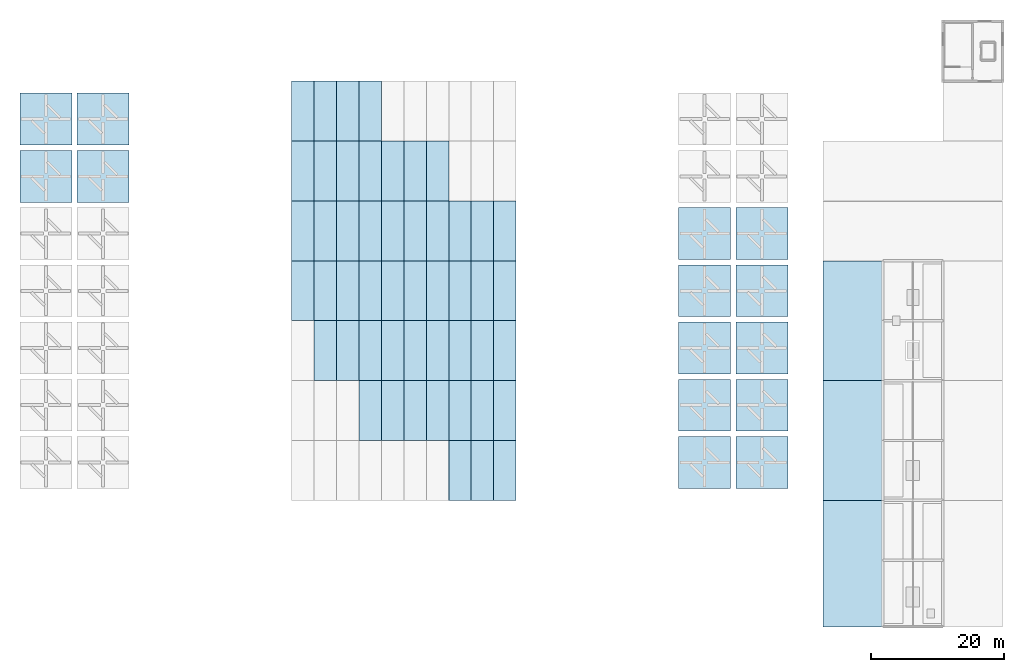
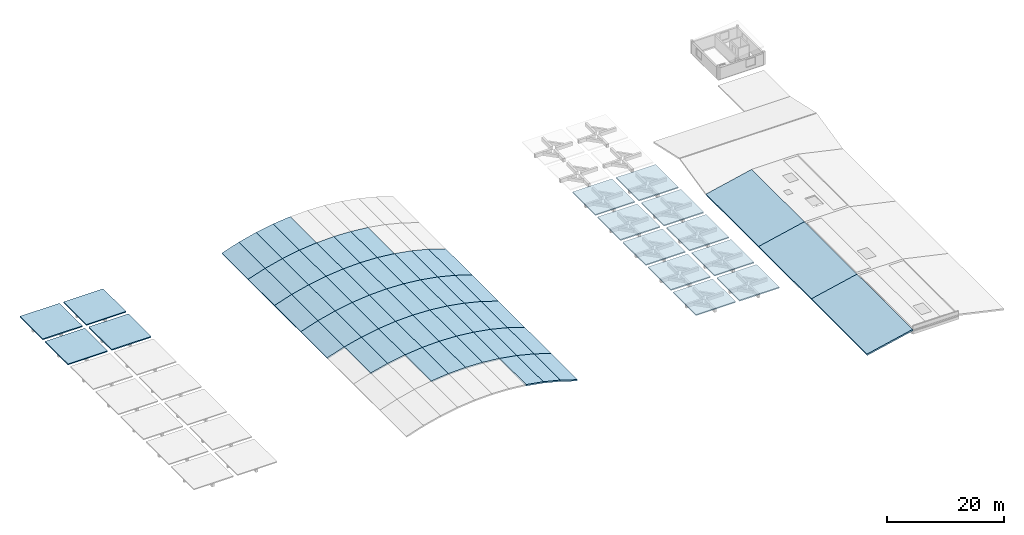
# One storey, part 4 of 7: 67 slabs.
"""IFC4 building model written with IfcOpenShell, lengths in metres."""

from ifc_helpers import new_model, si_unit, direction, frame, origin, place, context, subcontext, project, spatial, polyline, outline, extrude, material, layer, layer_set, type_object, element, save


model = new_model("IFC4")

# Units and contexts
model_context = context("Model", 3, precision=1e-05, world=origin(), true_north=direction((0.0, 1.0)))
body_context = subcontext(model_context, "Body", "Model", "MODEL_VIEW")
ifc_project = project(units=[si_unit("LENGTHUNIT", "METRE"), si_unit("AREAUNIT", "SQUARE_METRE"), si_unit("VOLUMEUNIT", "CUBIC_METRE"), si_unit("PLANEANGLEUNIT", "RADIAN"), si_unit("MASSUNIT", "GRAM", prefix="KILO")], contexts=[model_context])

# Site, building, storey
site_placement = place(None, origin())
site = spatial("IfcSite", under=ifc_project, at=site_placement, CompositionType="ELEMENT")
building_placement = place(site_placement, origin())
building = spatial("IfcBuilding", under=site, at=building_placement, Name="Ornek Quay Market", CompositionType="ELEMENT")
storey_placement = place(building_placement, frame((0.0, 0.0, 16.64990234375)))
storey = spatial("IfcBuildingStorey", under=building, at=storey_placement, Name="ROOF", CompositionType="ELEMENT", Elevation=16.64990234375)

# Slabs
ifc_material_1 = material(Name="Concrete C35/45", Category="concrete")
ifc_layer_1 = layer(ifc_material_1, 0.320068359375, Name="Concrete C35/45", Category="concrete")
ifc_layer_set_1 = layer_set([ifc_layer_1], Name="Concrete C35/45")
slab_type_1 = type_object("IfcSlabType", Name="SL-RF-CS-320", PredefinedType="ROOF", material=ifc_layer_set_1)
slab_1_placement = place(storey_placement, frame((153.0, 10.0, -1.25), z_axis=(-0.216930457819, 0.0, 0.976187060184), x_axis=(0.976187060184, 0.0, 0.216930457819)))
element("IfcSlab", 1, at=slab_1_placement, inside=storey, type_object=slab_type_1, Name="Sloped roof slab S-072 (ROOF)", PredefinedType="ROOF", context=body_context, shape_type="SweptSolid", body=[
    extrude(outline(polyline([(0.0, 0.0), (9.219544457292889, 0.0), (9.219544457292889, 19.0), (0.0, 19.0), (0.0, 0.0)])), origin(), (0.0, 0.0, -1.0), 0.320068359375),
])
for number, where, z_axis, x_axis, name in (
    (2, (153.0, 29.0, -1.25), (-0.216930457819, 0.0, 0.976187060184), (0.976187060184, 0.0, 0.216930457819), "Sloped roof slab S-075 (ROOF)"),
    (3, (153.0, 47.0, -1.25), (-0.216930457819, 0.0, 0.976187060184), (0.976187060184, 0.0, 0.216930457819), "Sloped roof slab S-078 (ROOF)"),
):
    element("IfcSlab", number, at=place(storey_placement, frame(where, z_axis=z_axis, x_axis=x_axis)), inside=storey, type_object=slab_type_1, Name=name, PredefinedType="ROOF", context=body_context, shape_type="SweptSolid", body=[
        extrude(outline(polyline([(0.0, 0.0), (9.219544457292889, 0.0), (9.219544457292889, 18.000000000000004), (0.0, 18.000000000000004), (0.0, 0.0)])), origin(), (0.0, 0.0, -1.0), 0.320068359375),
    ])
ifc_material_2 = material(Name="Concrete C40/50", Category="concrete")
ifc_layer_2 = layer(ifc_material_2, 0.219970703125, Name="Concrete C40/50", Category="concrete")
ifc_layer_set_2 = layer_set([ifc_layer_2], Name="Concrete C40/50")
slab_type_2 = type_object("IfcSlabType", Name="SL-UMB-CANOPY-220", PredefinedType="ROOF", material=ifc_layer_set_2)
slab_2_placement = place(storey_placement, frame((0.0, 0.0, 0.030029296875)))
element("IfcSlab", 4, at=slab_2_placement, inside=storey, type_object=slab_type_2, Name="Concrete umbrella canopy UMB-W06", PredefinedType="ROOF", context=body_context, shape_type="SweptSolid", body=[
    extrude(outline(polyline([(32.300048828125, 73.800048828125), (40.10009765625, 73.800048828125), (40.10009765625, 81.60009765625), (32.300048828125, 81.60009765625), (32.300048828125, 73.800048828125)])), origin(), (0.0, 0.0, 1.0), 0.219970703125),
])
slab_3_placement = place(storey_placement, frame((0.0, 0.0, 0.030029296875)))
element("IfcSlab", 5, at=slab_3_placement, inside=storey, type_object=slab_type_2, Name="Concrete umbrella canopy UMB-W07", PredefinedType="ROOF", context=body_context, shape_type="SweptSolid", body=[
    extrude(outline(polyline([(32.300048828125, 82.39990234375), (40.10009765625, 82.39990234375), (40.10009765625, 90.199951171875), (32.300048828125, 90.199951171875), (32.300048828125, 82.39990234375)])), origin(), (0.0, 0.0, 1.0), 0.219970703125),
])
slab_4_placement = place(storey_placement, frame((0.0, 0.0, 0.030029296875)))
element("IfcSlab", 6, at=slab_4_placement, inside=storey, type_object=slab_type_2, Name="Concrete umbrella canopy UMB-W13", PredefinedType="ROOF", context=body_context, shape_type="SweptSolid", body=[
    extrude(outline(polyline([(40.89990234375, 73.800048828125), (48.699951171875, 73.800048828125), (48.699951171875, 81.60009765625), (40.89990234375, 81.60009765625), (40.89990234375, 73.800048828125)])), origin(), (0.0, 0.0, 1.0), 0.219970703125),
])
slab_5_placement = place(storey_placement, frame((0.0, 0.0, 0.030029296875)))
element("IfcSlab", 7, at=slab_5_placement, inside=storey, type_object=slab_type_2, Name="Concrete umbrella canopy UMB-W14", PredefinedType="ROOF", context=body_context, shape_type="SweptSolid", body=[
    extrude(outline(polyline([(40.89990234375, 82.39990234375), (48.699951171875, 82.39990234375), (48.699951171875, 90.199951171875), (40.89990234375, 90.199951171875), (40.89990234375, 82.39990234375)])), origin(), (0.0, 0.0, 1.0), 0.219970703125),
])
slab_6_placement = place(storey_placement, frame((0.0, 0.0, 1.72998046875)))
element("IfcSlab", 8, at=slab_6_placement, inside=storey, type_object=slab_type_2, Name="Concrete umbrella canopy UMB-E01", PredefinedType="ROOF", context=body_context, shape_type="SweptSolid", body=[
    extrude(outline(polyline([(131.300048828125, 30.800048828125), (139.10009765625, 30.800048828125), (139.10009765625, 38.60009765625), (131.300048828125, 38.60009765625), (131.300048828125, 30.800048828125)])), origin(), (0.0, 0.0, 1.0), 0.22021484375),
])
slab_7_placement = place(storey_placement, frame((0.0, 0.0, 1.72998046875)))
element("IfcSlab", 9, at=slab_7_placement, inside=storey, type_object=slab_type_2, Name="Concrete umbrella canopy UMB-E02", PredefinedType="ROOF", context=body_context, shape_type="SweptSolid", body=[
    extrude(outline(polyline([(131.300048828125, 39.39990234375), (139.10009765625, 39.39990234375), (139.10009765625, 47.199951171875), (131.300048828125, 47.199951171875), (131.300048828125, 39.39990234375)])), origin(), (0.0, 0.0, 1.0), 0.22021484375),
])
slab_8_placement = place(storey_placement, frame((0.0, 0.0, 1.72998046875)))
element("IfcSlab", 10, at=slab_8_placement, inside=storey, type_object=slab_type_2, Name="Concrete umbrella canopy UMB-E03", PredefinedType="ROOF", context=body_context, shape_type="SweptSolid", body=[
    extrude(outline(polyline([(131.300048828125, 48.0), (139.10009765625, 48.0), (139.10009765625, 55.800048828125), (131.300048828125, 55.800048828125), (131.300048828125, 48.0)])), origin(), (0.0, 0.0, 1.0), 0.22021484375),
])
slab_9_placement = place(storey_placement, frame((0.0, 0.0, 1.72998046875)))
element("IfcSlab", 11, at=slab_9_placement, inside=storey, type_object=slab_type_2, Name="Concrete umbrella canopy UMB-E04", PredefinedType="ROOF", context=body_context, shape_type="SweptSolid", body=[
    extrude(outline(polyline([(131.300048828125, 56.60009765625), (139.10009765625, 56.60009765625), (139.10009765625, 64.39990234375), (131.300048828125, 64.39990234375), (131.300048828125, 56.60009765625)])), origin(), (0.0, 0.0, 1.0), 0.22021484375),
])
slab_10_placement = place(storey_placement, frame((0.0, 0.0, 1.72998046875)))
element("IfcSlab", 12, at=slab_10_placement, inside=storey, type_object=slab_type_2, Name="Concrete umbrella canopy UMB-E05", PredefinedType="ROOF", context=body_context, shape_type="SweptSolid", body=[
    extrude(outline(polyline([(131.300048828125, 65.199951171875), (139.10009765625, 65.199951171875), (139.10009765625, 73.0), (131.300048828125, 73.0), (131.300048828125, 65.199951171875)])), origin(), (0.0, 0.0, 1.0), 0.22021484375),
])
slab_11_placement = place(storey_placement, frame((0.0, 0.0, 1.72998046875)))
element("IfcSlab", 13, at=slab_11_placement, inside=storey, type_object=slab_type_2, Name="Concrete umbrella canopy UMB-E08", PredefinedType="ROOF", context=body_context, shape_type="SweptSolid", body=[
    extrude(outline(polyline([(139.89990234375, 30.800048828125), (147.699951171875, 30.800048828125), (147.699951171875, 38.60009765625), (139.89990234375, 38.60009765625), (139.89990234375, 30.800048828125)])), origin(), (0.0, 0.0, 1.0), 0.22021484375),
])
slab_12_placement = place(storey_placement, frame((0.0, 0.0, 1.72998046875)))
element("IfcSlab", 14, at=slab_12_placement, inside=storey, type_object=slab_type_2, Name="Concrete umbrella canopy UMB-E09", PredefinedType="ROOF", context=body_context, shape_type="SweptSolid", body=[
    extrude(outline(polyline([(139.89990234375, 39.39990234375), (147.699951171875, 39.39990234375), (147.699951171875, 47.199951171875), (139.89990234375, 47.199951171875), (139.89990234375, 39.39990234375)])), origin(), (0.0, 0.0, 1.0), 0.22021484375),
])
slab_13_placement = place(storey_placement, frame((0.0, 0.0, 1.72998046875)))
element("IfcSlab", 15, at=slab_13_placement, inside=storey, type_object=slab_type_2, Name="Concrete umbrella canopy UMB-E10", PredefinedType="ROOF", context=body_context, shape_type="SweptSolid", body=[
    extrude(outline(polyline([(139.89990234375, 48.0), (147.699951171875, 48.0), (147.699951171875, 55.800048828125), (139.89990234375, 55.800048828125), (139.89990234375, 48.0)])), origin(), (0.0, 0.0, 1.0), 0.22021484375),
])
slab_14_placement = place(storey_placement, frame((0.0, 0.0, 1.72998046875)))
element("IfcSlab", 16, at=slab_14_placement, inside=storey, type_object=slab_type_2, Name="Concrete umbrella canopy UMB-E11", PredefinedType="ROOF", context=body_context, shape_type="SweptSolid", body=[
    extrude(outline(polyline([(139.89990234375, 56.60009765625), (147.699951171875, 56.60009765625), (147.699951171875, 64.39990234375), (139.89990234375, 64.39990234375), (139.89990234375, 56.60009765625)])), origin(), (0.0, 0.0, 1.0), 0.22021484375),
])
slab_15_placement = place(storey_placement, frame((0.0, 0.0, 1.72998046875)))
element("IfcSlab", 17, at=slab_15_placement, inside=storey, type_object=slab_type_2, Name="Concrete umbrella canopy UMB-E12", PredefinedType="ROOF", context=body_context, shape_type="SweptSolid", body=[
    extrude(outline(polyline([(139.89990234375, 65.199951171875), (147.699951171875, 65.199951171875), (147.699951171875, 73.0), (139.89990234375, 73.0), (139.89990234375, 65.199951171875)])), origin(), (0.0, 0.0, 1.0), 0.22021484375),
])
ifc_material_3 = material(Name="Concrete C45/55", Category="concrete")
ifc_layer_3 = layer(ifc_material_3, 0.2900390625, Name="Concrete C45/55", Category="concrete")
ifc_layer_set_3 = layer_set([ifc_layer_3], Name="Concrete C45/55")
slab_type_3 = type_object("IfcSlabType", Name="SL-VLT-SHELL-290", PredefinedType="ROOF", material=ifc_layer_set_3)
slab_16_placement = place(storey_placement, frame((96.75, 29.0, 0.573486328125), z_axis=(0.172159077901, 0.0, 0.985069160971), x_axis=(0.985069160971, 0.0, -0.172159077901)))
element("IfcSlab", 18, at=slab_16_placement, inside=storey, type_object=slab_type_3, Name="Sloped roof slab S-091 (ROOF)", PredefinedType="ROOF", context=body_context, shape_type="SweptSolid", body=[
    extrude(outline(polyline([(0.0, 0.0), (3.4261553743830806, 0.0), (3.4261553743830806, 9.0), (0.0, 9.0), (0.0, 0.0)])), origin(), (0.0, 0.0, -1.0), 0.2900390625),
])
slab_17_placement = place(storey_placement, frame((100.125, 29.0, -0.016357421875), z_axis=(0.240949455139, 0.0, 0.970537665456), x_axis=(0.970537665456, 0.0, -0.240949455139)))
element("IfcSlab", 19, at=slab_17_placement, inside=storey, type_object=slab_type_3, Name="Sloped roof slab S-092 (ROOF)", PredefinedType="ROOF", context=body_context, shape_type="SweptSolid", body=[
    extrude(outline(polyline([(0.0, 0.0), (3.4774539104728466, 0.0), (3.4774539104728466, 9.000000000000002), (0.0, 9.000000000000002), (0.0, 0.0)])), origin(), (0.0, 0.0, -1.0), 0.2900390625),
])
slab_18_placement = place(storey_placement, frame((103.5, 29.0, -0.854248046875), z_axis=(0.309844903611, 0.0, 0.950787113767), x_axis=(0.950787113767, 0.0, -0.309844903611)))
element("IfcSlab", 20, at=slab_18_placement, inside=storey, type_object=slab_type_3, Name="Sloped roof slab S-093 (ROOF)", PredefinedType="ROOF", context=body_context, shape_type="SweptSolid", body=[
    extrude(outline(polyline([(0.0, 0.0), (3.5496905155002842, 0.0), (3.5496905155002842, 9.000000000000002), (0.0, 9.000000000000002), (0.0, 0.0)])), origin(), (0.0, 0.0, -1.0), 0.2900390625),
])
slab_19_placement = place(storey_placement, frame((83.25, 38.0, 0.573486328125), z_axis=(-0.103250182601, 0.0, 0.994655417616), x_axis=(0.994655417616, 0.0, 0.103250182601)))
element("IfcSlab", 21, at=slab_19_placement, inside=storey, type_object=slab_type_3, Name="Sloped roof slab S-103 (ROOF)", PredefinedType="ROOF", context=body_context, shape_type="SweptSolid", body=[
    extrude(outline(polyline([(0.0, 0.0), (3.3931348889541075, 0.0), (3.3931348889541075, 9.0), (0.0, 9.0), (0.0, 0.0)])), origin(), (0.0, 0.0, -1.0), 0.2900390625),
])
for number, where, z_axis, x_axis, name in (
    (22, (86.625, 38.0, 0.923828125), (-0.034412476309, 0.0, 0.999407715337), (0.999407715337, 0.0, 0.034412476309), "Sloped roof slab S-104 (ROOF)"),
    (23, (90.0, 38.0, 1.0400390625), (0.034412476309, 0.0, 0.999407715337), (0.999407715337, 0.0, -0.034412476309), "Sloped roof slab S-105 (ROOF)"),
):
    element("IfcSlab", number, at=place(storey_placement, frame(where, z_axis=z_axis, x_axis=x_axis)), inside=storey, type_object=slab_type_3, Name=name, PredefinedType="ROOF", context=body_context, shape_type="SweptSolid", body=[
        extrude(outline(polyline([(0.0, 0.0), (3.377000145394523, 0.0), (3.377000145394523, 9.0), (0.0, 9.0), (0.0, 0.0)])), origin(), (0.0, 0.0, -1.0), 0.2900390625),
    ])
slab_20_placement = place(storey_placement, frame((93.375, 38.0, 0.923828125), z_axis=(0.103250182601, 0.0, 0.994655417616), x_axis=(0.994655417616, 0.0, -0.103250182601)))
element("IfcSlab", 24, at=slab_20_placement, inside=storey, type_object=slab_type_3, Name="Sloped roof slab S-106 (ROOF)", PredefinedType="ROOF", context=body_context, shape_type="SweptSolid", body=[
    extrude(outline(polyline([(0.0, 0.0), (3.3931348889541075, 0.0), (3.3931348889541075, 9.0), (0.0, 9.0), (0.0, 0.0)])), origin(), (0.0, 0.0, -1.0), 0.2900390625),
])
slab_21_placement = place(storey_placement, frame((96.75, 38.0, 0.573486328125), z_axis=(0.172159077901, 0.0, 0.985069160971), x_axis=(0.985069160971, 0.0, -0.172159077901)))
element("IfcSlab", 25, at=slab_21_placement, inside=storey, type_object=slab_type_3, Name="Sloped roof slab S-107 (ROOF)", PredefinedType="ROOF", context=body_context, shape_type="SweptSolid", body=[
    extrude(outline(polyline([(0.0, 0.0), (3.4261553743830806, 0.0), (3.4261553743830806, 9.0), (0.0, 9.0), (0.0, 0.0)])), origin(), (0.0, 0.0, -1.0), 0.2900390625),
])
slab_22_placement = place(storey_placement, frame((100.125, 38.0, -0.016357421875), z_axis=(0.240949455139, 0.0, 0.970537665456), x_axis=(0.970537665456, 0.0, -0.240949455139)))
element("IfcSlab", 26, at=slab_22_placement, inside=storey, type_object=slab_type_3, Name="Sloped roof slab S-108 (ROOF)", PredefinedType="ROOF", context=body_context, shape_type="SweptSolid", body=[
    extrude(outline(polyline([(0.0, 0.0), (3.4774539104728466, 0.0), (3.4774539104728466, 9.000000000000002), (0.0, 9.000000000000002), (0.0, 0.0)])), origin(), (0.0, 0.0, -1.0), 0.2900390625),
])
slab_23_placement = place(storey_placement, frame((103.5, 38.0, -0.854248046875), z_axis=(0.309844903611, 0.0, 0.950787113767), x_axis=(0.950787113767, 0.0, -0.309844903611)))
element("IfcSlab", 27, at=slab_23_placement, inside=storey, type_object=slab_type_3, Name="Sloped roof slab S-109 (ROOF)", PredefinedType="ROOF", context=body_context, shape_type="SweptSolid", body=[
    extrude(outline(polyline([(0.0, 0.0), (3.5496905155002842, 0.0), (3.5496905155002842, 9.000000000000002), (0.0, 9.000000000000002), (0.0, 0.0)])), origin(), (0.0, 0.0, -1.0), 0.2900390625),
])
slab_24_placement = place(storey_placement, frame((76.5, 47.0, -0.854248046875), z_axis=(-0.240949455139, 0.0, 0.970537665456), x_axis=(0.970537665456, 0.0, 0.240949455139)))
element("IfcSlab", 28, at=slab_24_placement, inside=storey, type_object=slab_type_3, Name="Sloped roof slab S-117 (ROOF)", PredefinedType="ROOF", context=body_context, shape_type="SweptSolid", body=[
    extrude(outline(polyline([(0.0, 0.0), (3.4774539104728466, 0.0), (3.4774539104728466, 9.000000000000002), (0.0, 9.000000000000002), (0.0, 0.0)])), origin(), (0.0, 0.0, -1.0), 0.2900390625),
])
slab_25_placement = place(storey_placement, frame((79.875, 47.0, -0.016357421875), z_axis=(-0.172159077901, 0.0, 0.985069160971), x_axis=(0.985069160971, 0.0, 0.172159077901)))
element("IfcSlab", 29, at=slab_25_placement, inside=storey, type_object=slab_type_3, Name="Sloped roof slab S-118 (ROOF)", PredefinedType="ROOF", context=body_context, shape_type="SweptSolid", body=[
    extrude(outline(polyline([(0.0, 0.0), (3.4261553743830806, 0.0), (3.4261553743830806, 9.0), (0.0, 9.0), (0.0, 0.0)])), origin(), (0.0, 0.0, -1.0), 0.2900390625),
])
slab_26_placement = place(storey_placement, frame((83.25, 47.0, 0.573486328125), z_axis=(-0.103250182601, 0.0, 0.994655417616), x_axis=(0.994655417616, 0.0, 0.103250182601)))
element("IfcSlab", 30, at=slab_26_placement, inside=storey, type_object=slab_type_3, Name="Sloped roof slab S-119 (ROOF)", PredefinedType="ROOF", context=body_context, shape_type="SweptSolid", body=[
    extrude(outline(polyline([(0.0, 0.0), (3.3931348889541075, 0.0), (3.3931348889541075, 9.0), (0.0, 9.0), (0.0, 0.0)])), origin(), (0.0, 0.0, -1.0), 0.2900390625),
])
for number, where, z_axis, x_axis, name in (
    (31, (86.625, 47.0, 0.923828125), (-0.034412476309, 0.0, 0.999407715337), (0.999407715337, 0.0, 0.034412476309), "Sloped roof slab S-120 (ROOF)"),
    (32, (90.0, 47.0, 1.0400390625), (0.034412476309, 0.0, 0.999407715337), (0.999407715337, 0.0, -0.034412476309), "Sloped roof slab S-121 (ROOF)"),
):
    element("IfcSlab", number, at=place(storey_placement, frame(where, z_axis=z_axis, x_axis=x_axis)), inside=storey, type_object=slab_type_3, Name=name, PredefinedType="ROOF", context=body_context, shape_type="SweptSolid", body=[
        extrude(outline(polyline([(0.0, 0.0), (3.377000145394523, 0.0), (3.377000145394523, 9.0), (0.0, 9.0), (0.0, 0.0)])), origin(), (0.0, 0.0, -1.0), 0.2900390625),
    ])
slab_27_placement = place(storey_placement, frame((93.375, 47.0, 0.923828125), z_axis=(0.103250182601, 0.0, 0.994655417616), x_axis=(0.994655417616, 0.0, -0.103250182601)))
element("IfcSlab", 33, at=slab_27_placement, inside=storey, type_object=slab_type_3, Name="Sloped roof slab S-122 (ROOF)", PredefinedType="ROOF", context=body_context, shape_type="SweptSolid", body=[
    extrude(outline(polyline([(0.0, 0.0), (3.3931348889541075, 0.0), (3.3931348889541075, 9.0), (0.0, 9.0), (0.0, 0.0)])), origin(), (0.0, 0.0, -1.0), 0.2900390625),
])
slab_28_placement = place(storey_placement, frame((96.75, 47.0, 0.573486328125), z_axis=(0.172159077901, 0.0, 0.985069160971), x_axis=(0.985069160971, 0.0, -0.172159077901)))
element("IfcSlab", 34, at=slab_28_placement, inside=storey, type_object=slab_type_3, Name="Sloped roof slab S-123 (ROOF)", PredefinedType="ROOF", context=body_context, shape_type="SweptSolid", body=[
    extrude(outline(polyline([(0.0, 0.0), (3.4261553743830806, 0.0), (3.4261553743830806, 9.0), (0.0, 9.0), (0.0, 0.0)])), origin(), (0.0, 0.0, -1.0), 0.2900390625),
])
slab_29_placement = place(storey_placement, frame((100.125, 47.0, -0.016357421875), z_axis=(0.240949455139, 0.0, 0.970537665456), x_axis=(0.970537665456, 0.0, -0.240949455139)))
element("IfcSlab", 35, at=slab_29_placement, inside=storey, type_object=slab_type_3, Name="Sloped roof slab S-124 (ROOF)", PredefinedType="ROOF", context=body_context, shape_type="SweptSolid", body=[
    extrude(outline(polyline([(0.0, 0.0), (3.4774539104728466, 0.0), (3.4774539104728466, 9.000000000000002), (0.0, 9.000000000000002), (0.0, 0.0)])), origin(), (0.0, 0.0, -1.0), 0.2900390625),
])
for number, where, z_axis, x_axis, name in (
    (36, (103.5, 47.0, -0.854248046875), (0.309844903611, 0.0, 0.950787113767), (0.950787113767, 0.0, -0.309844903611), "Sloped roof slab S-125 (ROOF)"),
    (37, (73.125, 56.0, -1.9541015625), (-0.309844903611, 0.0, 0.950787113767), (0.950787113767, 0.0, 0.309844903611), "Sloped roof slab S-132 (ROOF)"),
):
    element("IfcSlab", number, at=place(storey_placement, frame(where, z_axis=z_axis, x_axis=x_axis)), inside=storey, type_object=slab_type_3, Name=name, PredefinedType="ROOF", context=body_context, shape_type="SweptSolid", body=[
        extrude(outline(polyline([(0.0, 0.0), (3.5496905155002842, 0.0), (3.5496905155002842, 9.000000000000002), (0.0, 9.000000000000002), (0.0, 0.0)])), origin(), (0.0, 0.0, -1.0), 0.2900390625),
    ])
slab_30_placement = place(storey_placement, frame((76.5, 56.0, -0.854248046875), z_axis=(-0.240949455139, 0.0, 0.970537665456), x_axis=(0.970537665456, 0.0, 0.240949455139)))
element("IfcSlab", 38, at=slab_30_placement, inside=storey, type_object=slab_type_3, Name="Sloped roof slab S-133 (ROOF)", PredefinedType="ROOF", context=body_context, shape_type="SweptSolid", body=[
    extrude(outline(polyline([(0.0, 0.0), (3.4774539104728466, 0.0), (3.4774539104728466, 9.000000000000002), (0.0, 9.000000000000002), (0.0, 0.0)])), origin(), (0.0, 0.0, -1.0), 0.2900390625),
])
slab_31_placement = place(storey_placement, frame((79.875, 56.0, -0.016357421875), z_axis=(-0.172159077901, 0.0, 0.985069160971), x_axis=(0.985069160971, 0.0, 0.172159077901)))
element("IfcSlab", 39, at=slab_31_placement, inside=storey, type_object=slab_type_3, Name="Sloped roof slab S-134 (ROOF)", PredefinedType="ROOF", context=body_context, shape_type="SweptSolid", body=[
    extrude(outline(polyline([(0.0, 0.0), (3.4261553743830806, 0.0), (3.4261553743830806, 9.0), (0.0, 9.0), (0.0, 0.0)])), origin(), (0.0, 0.0, -1.0), 0.2900390625),
])
slab_32_placement = place(storey_placement, frame((83.25, 56.0, 0.573486328125), z_axis=(-0.103250182601, 0.0, 0.994655417616), x_axis=(0.994655417616, 0.0, 0.103250182601)))
element("IfcSlab", 40, at=slab_32_placement, inside=storey, type_object=slab_type_3, Name="Sloped roof slab S-135 (ROOF)", PredefinedType="ROOF", context=body_context, shape_type="SweptSolid", body=[
    extrude(outline(polyline([(0.0, 0.0), (3.3931348889541075, 0.0), (3.3931348889541075, 9.0), (0.0, 9.0), (0.0, 0.0)])), origin(), (0.0, 0.0, -1.0), 0.2900390625),
])
for number, where, z_axis, x_axis, name in (
    (41, (86.625, 56.0, 0.923828125), (-0.034412476309, 0.0, 0.999407715337), (0.999407715337, 0.0, 0.034412476309), "Sloped roof slab S-136 (ROOF)"),
    (42, (90.0, 56.0, 1.0400390625), (0.034412476309, 0.0, 0.999407715337), (0.999407715337, 0.0, -0.034412476309), "Sloped roof slab S-137 (ROOF)"),
):
    element("IfcSlab", number, at=place(storey_placement, frame(where, z_axis=z_axis, x_axis=x_axis)), inside=storey, type_object=slab_type_3, Name=name, PredefinedType="ROOF", context=body_context, shape_type="SweptSolid", body=[
        extrude(outline(polyline([(0.0, 0.0), (3.377000145394523, 0.0), (3.377000145394523, 9.0), (0.0, 9.0), (0.0, 0.0)])), origin(), (0.0, 0.0, -1.0), 0.2900390625),
    ])
slab_33_placement = place(storey_placement, frame((93.375, 56.0, 0.923828125), z_axis=(0.103250182601, 0.0, 0.994655417616), x_axis=(0.994655417616, 0.0, -0.103250182601)))
element("IfcSlab", 43, at=slab_33_placement, inside=storey, type_object=slab_type_3, Name="Sloped roof slab S-138 (ROOF)", PredefinedType="ROOF", context=body_context, shape_type="SweptSolid", body=[
    extrude(outline(polyline([(0.0, 0.0), (3.3931348889541075, 0.0), (3.3931348889541075, 9.0), (0.0, 9.0), (0.0, 0.0)])), origin(), (0.0, 0.0, -1.0), 0.2900390625),
])
slab_34_placement = place(storey_placement, frame((96.75, 56.0, 0.573486328125), z_axis=(0.172159077901, 0.0, 0.985069160971), x_axis=(0.985069160971, 0.0, -0.172159077901)))
element("IfcSlab", 44, at=slab_34_placement, inside=storey, type_object=slab_type_3, Name="Sloped roof slab S-139 (ROOF)", PredefinedType="ROOF", context=body_context, shape_type="SweptSolid", body=[
    extrude(outline(polyline([(0.0, 0.0), (3.4261553743830806, 0.0), (3.4261553743830806, 9.0), (0.0, 9.0), (0.0, 0.0)])), origin(), (0.0, 0.0, -1.0), 0.2900390625),
])
slab_35_placement = place(storey_placement, frame((100.125, 56.0, -0.016357421875), z_axis=(0.240949455139, 0.0, 0.970537665456), x_axis=(0.970537665456, 0.0, -0.240949455139)))
element("IfcSlab", 45, at=slab_35_placement, inside=storey, type_object=slab_type_3, Name="Sloped roof slab S-140 (ROOF)", PredefinedType="ROOF", context=body_context, shape_type="SweptSolid", body=[
    extrude(outline(polyline([(0.0, 0.0), (3.4774539104728466, 0.0), (3.4774539104728466, 9.000000000000002), (0.0, 9.000000000000002), (0.0, 0.0)])), origin(), (0.0, 0.0, -1.0), 0.2900390625),
])
for number, where, z_axis, x_axis, name in (
    (46, (103.5, 56.0, -0.854248046875), (0.309844903611, 0.0, 0.950787113767), (0.950787113767, 0.0, -0.309844903611), "Sloped roof slab S-141 (ROOF)"),
    (47, (73.125, 65.0, -1.9541015625), (-0.309844903611, 0.0, 0.950787113767), (0.950787113767, 0.0, 0.309844903611), "Sloped roof slab S-148 (ROOF)"),
):
    element("IfcSlab", number, at=place(storey_placement, frame(where, z_axis=z_axis, x_axis=x_axis)), inside=storey, type_object=slab_type_3, Name=name, PredefinedType="ROOF", context=body_context, shape_type="SweptSolid", body=[
        extrude(outline(polyline([(0.0, 0.0), (3.5496905155002842, 0.0), (3.5496905155002842, 9.000000000000002), (0.0, 9.000000000000002), (0.0, 0.0)])), origin(), (0.0, 0.0, -1.0), 0.2900390625),
    ])
slab_36_placement = place(storey_placement, frame((76.5, 65.0, -0.854248046875), z_axis=(-0.240949455139, 0.0, 0.970537665456), x_axis=(0.970537665456, 0.0, 0.240949455139)))
element("IfcSlab", 48, at=slab_36_placement, inside=storey, type_object=slab_type_3, Name="Sloped roof slab S-149 (ROOF)", PredefinedType="ROOF", context=body_context, shape_type="SweptSolid", body=[
    extrude(outline(polyline([(0.0, 0.0), (3.4774539104728466, 0.0), (3.4774539104728466, 9.000000000000002), (0.0, 9.000000000000002), (0.0, 0.0)])), origin(), (0.0, 0.0, -1.0), 0.2900390625),
])
slab_37_placement = place(storey_placement, frame((79.875, 65.0, -0.016357421875), z_axis=(-0.172159077901, 0.0, 0.985069160971), x_axis=(0.985069160971, 0.0, 0.172159077901)))
element("IfcSlab", 49, at=slab_37_placement, inside=storey, type_object=slab_type_3, Name="Sloped roof slab S-150 (ROOF)", PredefinedType="ROOF", context=body_context, shape_type="SweptSolid", body=[
    extrude(outline(polyline([(0.0, 0.0), (3.4261553743830806, 0.0), (3.4261553743830806, 9.0), (0.0, 9.0), (0.0, 0.0)])), origin(), (0.0, 0.0, -1.0), 0.2900390625),
])
slab_38_placement = place(storey_placement, frame((83.25, 65.0, 0.573486328125), z_axis=(-0.103250182601, 0.0, 0.994655417616), x_axis=(0.994655417616, 0.0, 0.103250182601)))
element("IfcSlab", 50, at=slab_38_placement, inside=storey, type_object=slab_type_3, Name="Sloped roof slab S-151 (ROOF)", PredefinedType="ROOF", context=body_context, shape_type="SweptSolid", body=[
    extrude(outline(polyline([(0.0, 0.0), (3.3931348889541075, 0.0), (3.3931348889541075, 9.0), (0.0, 9.0), (0.0, 0.0)])), origin(), (0.0, 0.0, -1.0), 0.2900390625),
])
for number, where, z_axis, x_axis, name in (
    (51, (86.625, 65.0, 0.923828125), (-0.034412476309, 0.0, 0.999407715337), (0.999407715337, 0.0, 0.034412476309), "Sloped roof slab S-152 (ROOF)"),
    (52, (90.0, 65.0, 1.0400390625), (0.034412476309, 0.0, 0.999407715337), (0.999407715337, 0.0, -0.034412476309), "Sloped roof slab S-153 (ROOF)"),
):
    element("IfcSlab", number, at=place(storey_placement, frame(where, z_axis=z_axis, x_axis=x_axis)), inside=storey, type_object=slab_type_3, Name=name, PredefinedType="ROOF", context=body_context, shape_type="SweptSolid", body=[
        extrude(outline(polyline([(0.0, 0.0), (3.377000145394523, 0.0), (3.377000145394523, 9.0), (0.0, 9.0), (0.0, 0.0)])), origin(), (0.0, 0.0, -1.0), 0.2900390625),
    ])
slab_39_placement = place(storey_placement, frame((93.375, 65.0, 0.923828125), z_axis=(0.103250182601, 0.0, 0.994655417616), x_axis=(0.994655417616, 0.0, -0.103250182601)))
element("IfcSlab", 53, at=slab_39_placement, inside=storey, type_object=slab_type_3, Name="Sloped roof slab S-154 (ROOF)", PredefinedType="ROOF", context=body_context, shape_type="SweptSolid", body=[
    extrude(outline(polyline([(0.0, 0.0), (3.3931348889541075, 0.0), (3.3931348889541075, 9.0), (0.0, 9.0), (0.0, 0.0)])), origin(), (0.0, 0.0, -1.0), 0.2900390625),
])
slab_40_placement = place(storey_placement, frame((96.75, 65.0, 0.573486328125), z_axis=(0.172159077901, 0.0, 0.985069160971), x_axis=(0.985069160971, 0.0, -0.172159077901)))
element("IfcSlab", 54, at=slab_40_placement, inside=storey, type_object=slab_type_3, Name="Sloped roof slab S-155 (ROOF)", PredefinedType="ROOF", context=body_context, shape_type="SweptSolid", body=[
    extrude(outline(polyline([(0.0, 0.0), (3.4261553743830806, 0.0), (3.4261553743830806, 9.0), (0.0, 9.0), (0.0, 0.0)])), origin(), (0.0, 0.0, -1.0), 0.2900390625),
])
slab_41_placement = place(storey_placement, frame((100.125, 65.0, -0.016357421875), z_axis=(0.240949455139, 0.0, 0.970537665456), x_axis=(0.970537665456, 0.0, -0.240949455139)))
element("IfcSlab", 55, at=slab_41_placement, inside=storey, type_object=slab_type_3, Name="Sloped roof slab S-156 (ROOF)", PredefinedType="ROOF", context=body_context, shape_type="SweptSolid", body=[
    extrude(outline(polyline([(0.0, 0.0), (3.4774539104728466, 0.0), (3.4774539104728466, 9.000000000000002), (0.0, 9.000000000000002), (0.0, 0.0)])), origin(), (0.0, 0.0, -1.0), 0.2900390625),
])
for number, where, z_axis, x_axis, name in (
    (56, (103.5, 65.0, -0.854248046875), (0.309844903611, 0.0, 0.950787113767), (0.950787113767, 0.0, -0.309844903611), "Sloped roof slab S-157 (ROOF)"),
    (57, (73.125, 74.0, -1.9541015625), (-0.309844903611, 0.0, 0.950787113767), (0.950787113767, 0.0, 0.309844903611), "Sloped roof slab S-164 (ROOF)"),
):
    element("IfcSlab", number, at=place(storey_placement, frame(where, z_axis=z_axis, x_axis=x_axis)), inside=storey, type_object=slab_type_3, Name=name, PredefinedType="ROOF", context=body_context, shape_type="SweptSolid", body=[
        extrude(outline(polyline([(0.0, 0.0), (3.5496905155002842, 0.0), (3.5496905155002842, 9.000000000000002), (0.0, 9.000000000000002), (0.0, 0.0)])), origin(), (0.0, 0.0, -1.0), 0.2900390625),
    ])
slab_42_placement = place(storey_placement, frame((76.5, 74.0, -0.854248046875), z_axis=(-0.240949455139, 0.0, 0.970537665456), x_axis=(0.970537665456, 0.0, 0.240949455139)))
element("IfcSlab", 58, at=slab_42_placement, inside=storey, type_object=slab_type_3, Name="Sloped roof slab S-165 (ROOF)", PredefinedType="ROOF", context=body_context, shape_type="SweptSolid", body=[
    extrude(outline(polyline([(0.0, 0.0), (3.4774539104728466, 0.0), (3.4774539104728466, 9.000000000000002), (0.0, 9.000000000000002), (0.0, 0.0)])), origin(), (0.0, 0.0, -1.0), 0.2900390625),
])
slab_43_placement = place(storey_placement, frame((79.875, 74.0, -0.016357421875), z_axis=(-0.172159077901, 0.0, 0.985069160971), x_axis=(0.985069160971, 0.0, 0.172159077901)))
element("IfcSlab", 59, at=slab_43_placement, inside=storey, type_object=slab_type_3, Name="Sloped roof slab S-166 (ROOF)", PredefinedType="ROOF", context=body_context, shape_type="SweptSolid", body=[
    extrude(outline(polyline([(0.0, 0.0), (3.4261553743830806, 0.0), (3.4261553743830806, 9.0), (0.0, 9.0), (0.0, 0.0)])), origin(), (0.0, 0.0, -1.0), 0.2900390625),
])
slab_44_placement = place(storey_placement, frame((83.25, 74.0, 0.573486328125), z_axis=(-0.103250182601, 0.0, 0.994655417616), x_axis=(0.994655417616, 0.0, 0.103250182601)))
element("IfcSlab", 60, at=slab_44_placement, inside=storey, type_object=slab_type_3, Name="Sloped roof slab S-167 (ROOF)", PredefinedType="ROOF", context=body_context, shape_type="SweptSolid", body=[
    extrude(outline(polyline([(0.0, 0.0), (3.3931348889541075, 0.0), (3.3931348889541075, 9.0), (0.0, 9.0), (0.0, 0.0)])), origin(), (0.0, 0.0, -1.0), 0.2900390625),
])
for number, where, z_axis, x_axis, name in (
    (61, (86.625, 74.0, 0.923828125), (-0.034412476309, 0.0, 0.999407715337), (0.999407715337, 0.0, 0.034412476309), "Sloped roof slab S-168 (ROOF)"),
    (62, (90.0, 74.0, 1.0400390625), (0.034412476309, 0.0, 0.999407715337), (0.999407715337, 0.0, -0.034412476309), "Sloped roof slab S-169 (ROOF)"),
):
    element("IfcSlab", number, at=place(storey_placement, frame(where, z_axis=z_axis, x_axis=x_axis)), inside=storey, type_object=slab_type_3, Name=name, PredefinedType="ROOF", context=body_context, shape_type="SweptSolid", body=[
        extrude(outline(polyline([(0.0, 0.0), (3.377000145394523, 0.0), (3.377000145394523, 9.0), (0.0, 9.0), (0.0, 0.0)])), origin(), (0.0, 0.0, -1.0), 0.2900390625),
    ])
slab_45_placement = place(storey_placement, frame((93.375, 74.0, 0.923828125), z_axis=(0.103250182601, 0.0, 0.994655417616), x_axis=(0.994655417616, 0.0, -0.103250182601)))
element("IfcSlab", 63, at=slab_45_placement, inside=storey, type_object=slab_type_3, Name="Sloped roof slab S-170 (ROOF)", PredefinedType="ROOF", context=body_context, shape_type="SweptSolid", body=[
    extrude(outline(polyline([(0.0, 0.0), (3.3931348889541075, 0.0), (3.3931348889541075, 9.0), (0.0, 9.0), (0.0, 0.0)])), origin(), (0.0, 0.0, -1.0), 0.2900390625),
])
slab_46_placement = place(storey_placement, frame((73.125, 83.0, -1.9541015625), z_axis=(-0.309844903611, 0.0, 0.950787113767), x_axis=(0.950787113767, 0.0, 0.309844903611)))
element("IfcSlab", 64, at=slab_46_placement, inside=storey, type_object=slab_type_3, Name="Sloped roof slab S-180 (ROOF)", PredefinedType="ROOF", context=body_context, shape_type="SweptSolid", body=[
    extrude(outline(polyline([(0.0, 0.0), (3.5496905155002842, 0.0), (3.5496905155002842, 9.000000000000002), (0.0, 9.000000000000002), (0.0, 0.0)])), origin(), (0.0, 0.0, -1.0), 0.2900390625),
])
slab_47_placement = place(storey_placement, frame((76.5, 83.0, -0.854248046875), z_axis=(-0.240949455139, 0.0, 0.970537665456), x_axis=(0.970537665456, 0.0, 0.240949455139)))
element("IfcSlab", 65, at=slab_47_placement, inside=storey, type_object=slab_type_3, Name="Sloped roof slab S-181 (ROOF)", PredefinedType="ROOF", context=body_context, shape_type="SweptSolid", body=[
    extrude(outline(polyline([(0.0, 0.0), (3.4774539104728466, 0.0), (3.4774539104728466, 9.000000000000002), (0.0, 9.000000000000002), (0.0, 0.0)])), origin(), (0.0, 0.0, -1.0), 0.2900390625),
])
slab_48_placement = place(storey_placement, frame((79.875, 83.0, -0.016357421875), z_axis=(-0.172159077901, 0.0, 0.985069160971), x_axis=(0.985069160971, 0.0, 0.172159077901)))
element("IfcSlab", 66, at=slab_48_placement, inside=storey, type_object=slab_type_3, Name="Sloped roof slab S-182 (ROOF)", PredefinedType="ROOF", context=body_context, shape_type="SweptSolid", body=[
    extrude(outline(polyline([(0.0, 0.0), (3.4261553743830806, 0.0), (3.4261553743830806, 9.0), (0.0, 9.0), (0.0, 0.0)])), origin(), (0.0, 0.0, -1.0), 0.2900390625),
])
slab_49_placement = place(storey_placement, frame((83.25, 83.0, 0.573486328125), z_axis=(-0.103250182601, 0.0, 0.994655417616), x_axis=(0.994655417616, 0.0, 0.103250182601)))
element("IfcSlab", 67, at=slab_49_placement, inside=storey, type_object=slab_type_3, Name="Sloped roof slab S-183 (ROOF)", PredefinedType="ROOF", context=body_context, shape_type="SweptSolid", body=[
    extrude(outline(polyline([(0.0, 0.0), (3.3931348889541075, 0.0), (3.3931348889541075, 9.0), (0.0, 9.0), (0.0, 0.0)])), origin(), (0.0, 0.0, -1.0), 0.2900390625),
])

save(model, "model.ifc")
